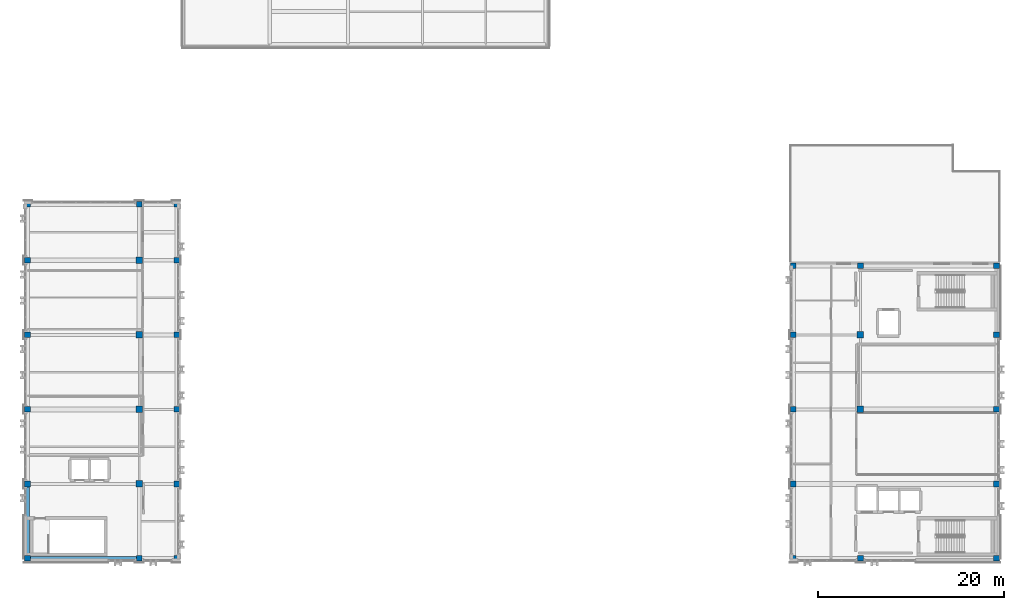
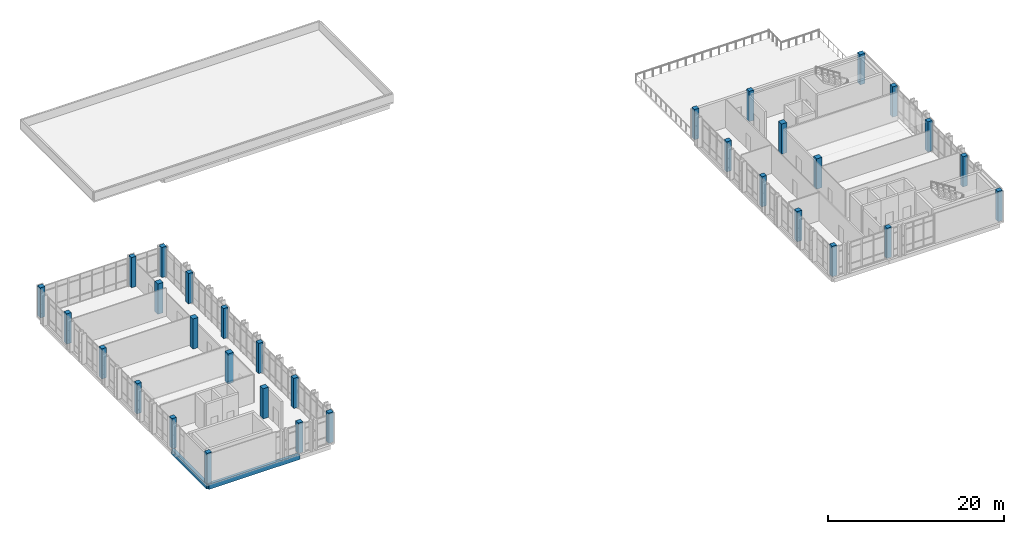
# One storey, part 1 of 48: 32 columns, 2 beams.
"""IFC4 building model written with IfcOpenShell, lengths in metres."""

from ifc_helpers import new_model, si_unit, direction, frame, origin, origin_2d, place, context, subcontext, project, spatial, rectangle, extrude, material, material_profile, profile_set, type_object, element, save


model = new_model("IFC4")

# Units and contexts
model_context = context("Model", 3, precision=1e-05, world=origin(), true_north=direction((0.0, 1.0)))
body_context = subcontext(model_context, "Body", "Model", "MODEL_VIEW")
ifc_project = project(units=[si_unit("LENGTHUNIT", "METRE"), si_unit("AREAUNIT", "SQUARE_METRE"), si_unit("VOLUMEUNIT", "CUBIC_METRE"), si_unit("PLANEANGLEUNIT", "RADIAN"), si_unit("MASSUNIT", "GRAM", prefix="KILO")], contexts=[model_context])

# Site, building, storey
site_placement = place(None, origin())
site = spatial("IfcSite", under=ifc_project, at=site_placement, CompositionType="ELEMENT")
building_placement = place(site_placement, origin())
building = spatial("IfcBuilding", under=site, at=building_placement, Name="Qalavern Law Courts", CompositionType="ELEMENT")
storey_placement = place(building_placement, frame((0.0, 0.0, 31.199951171875)))
storey = spatial("IfcBuildingStorey", under=building, at=storey_placement, Name="L07", CompositionType="ELEMENT", Elevation=31.199951171875)

# Columns
ifc_material_1 = material(Name="Concrete C45/55", Category="concrete")
ifc_material_profile_1 = material_profile(ifc_material_1, rectangle(XDim=0.60009765625, YDim=0.60009765625, at=origin_2d()), Name="RC 600x600")
ifc_profile_set_1 = profile_set([ifc_material_profile_1], Name="Concrete C45/55")
column_type_1 = type_object("IfcColumnType", Name="STR-COL-RC600E", PredefinedType="COLUMN", material=ifc_profile_set_1)
for number, where, z_axis, x_axis, name in (
    (1, (2.39990234375, 41.419921875, 0.0), (0.0, 0.0, 1.0), (1.0, 0.0, 0.0), "V3 column 1-1 L07"),
    (2, (2.39990234375, 49.39990234375, 0.0), (0.0, 0.0, 1.0), (1.0, 0.0, 0.0), "V3 column 1-2 L07"),
    (3, (2.39990234375, 57.39990234375, 0.0), (0.0, 0.0, 1.0), (1.0, 0.0, 0.0), "V3 column 1-3 L07"),
    (4, (2.39990234375, 65.39990234375, 0.0), (0.0, 0.0, 1.0), (1.0, 0.0, 0.0), "V3 column 1-4 L07"),
    (5, (2.39990234375, 73.39990234375, 0.0), (0.0, 0.0, 1.0), (1.0, 0.0, 0.0), "V3 column 1-5 L07"),
    (6, (2.39990234375, 79.39990234375, 0.0), (0.0, 0.0, 1.0), (1.0, 0.0, 0.0), "V3 column 1-6 L07"),
    (7, (14.39990234375, 41.419921875, 0.0), (0.0, 0.0, 1.0), (1.0, 0.0, 0.0), "V3 column 2-1 L07"),
    (8, (14.39990234375, 79.39990234375, 0.0), (0.0, 0.0, 1.0), (1.0, 0.0, 0.0), "V3 column 2-6 L07"),
    (9, (18.39990234375, 41.419921875, 0.0), (0.0, 0.0, 1.0), (1.0, 0.0, 0.0), "V3 column 3-1 L07"),
    (10, (18.39990234375, 49.39990234375, 0.0), (0.0, 0.0, 1.0), (1.0, 0.0, 0.0), "V3 column 3-2 L07"),
    (11, (18.39990234375, 57.39990234375, 0.0), (0.0, 0.0, 1.0), (1.0, 0.0, 0.0), "V3 column 3-3 L07"),
    (12, (18.39990234375, 65.39990234375, 0.0), (0.0, 0.0, 1.0), (1.0, 0.0, 0.0), "V3 column 3-4 L07"),
    (13, (18.39990234375, 73.39990234375, 0.0), (0.0, 0.0, 1.0), (1.0, 0.0, 0.0), "V3 column 3-5 L07"),
    (14, (18.39990234375, 79.39990234375, 0.0), (0.0, 0.0, 1.0), (1.0, 0.0, 0.0), "V3 column 3-6 L07"),
    (15, (84.60009765625, 41.419921875, 0.0), (0.0, 0.0, 1.0), (1.0, 0.0, 0.0), "V4 column 1-1 L07"),
    (16, (84.60009765625, 49.39990234375, 0.0), (0.0, 0.0, 1.0), (1.0, 0.0, 0.0), "V4 column 1-2 L07"),
    (17, (84.60009765625, 57.39990234375, 0.0), (0.0, 0.0, 1.0), (1.0, 0.0, 0.0), "V4 column 1-3 L07"),
    (18, (84.60009765625, 65.39990234375, 0.0), (0.0, 0.0, 1.0), (1.0, 0.0, 0.0), "V4 column 1-4 L07"),
    (19, (84.60009765625, 72.800048828125, 0.0), (0.0, 0.0, 1.0), (1.0, 0.0, 0.0), "V4 column 1-5 L07"),
    (20, (91.800048828125, 41.419921875, 0.0), (0.0, 0.0, 1.0), (1.0, 0.0, 0.0), "V4 column 2-1 L07"),
    (21, (91.800048828125, 72.800048828125, 0.0), (0.0, 0.0, 1.0), (1.0, 0.0, 0.0), "V4 column 2-5 L07"),
    (22, (106.39990234375, 41.419921875, 0.0), (0.0, 0.0, 1.0), (1.0, 0.0, 0.0), "V4 column 3-1 L07"),
    (23, (106.39990234375, 49.39990234375, 0.0), (0.0, 0.0, 1.0), (1.0, 0.0, 0.0), "V4 column 3-2 L07"),
    (24, (106.39990234375, 57.39990234375, 0.0), (0.0, 0.0, 1.0), (1.0, 0.0, 0.0), "V4 column 3-3 L07"),
    (25, (106.39990234375, 65.39990234375, 0.0), (0.0, 0.0, 1.0), (1.0, 0.0, 0.0), "V4 column 3-4 L07"),
    (26, (106.39990234375, 72.800048828125, 0.0), (0.0, 0.0, 1.0), (1.0, 0.0, 0.0), "V4 column 3-5 L07"),
):
    element("IfcColumn", number, at=place(storey_placement, frame(where, z_axis=z_axis, x_axis=x_axis)), inside=storey, type_object=column_type_1, Name=name, PredefinedType="COLUMN", context=body_context, shape_type="SweptSolid", body=[
        extrude(rectangle(XDim=0.60009765625, YDim=0.60009765625, at=origin_2d()), origin(), (0.0, 0.0, 1.0), 4.199951171875),
    ])
ifc_material_profile_2 = material_profile(ifc_material_1, rectangle(XDim=0.699951171875, YDim=0.699951171875, at=origin_2d()), Name="RC 700x700")
ifc_profile_set_2 = profile_set([ifc_material_profile_2], Name="Concrete C45/55")
column_type_2 = type_object("IfcColumnType", Name="STR-COL-RC700", PredefinedType="COLUMN", material=ifc_profile_set_2)
for number, where, z_axis, x_axis, name in (
    (27, (14.39990234375, 49.39990234375, 0.0), (0.0, 0.0, 1.0), (1.0, 0.0, 0.0), "V3 column 2-2 L07"),
    (28, (14.39990234375, 57.39990234375, 0.0), (0.0, 0.0, 1.0), (1.0, 0.0, 0.0), "V3 column 2-3 L07"),
    (29, (14.39990234375, 65.39990234375, 0.0), (0.0, 0.0, 1.0), (1.0, 0.0, 0.0), "V3 column 2-4 L07"),
    (30, (14.39990234375, 73.39990234375, 0.0), (0.0, 0.0, 1.0), (1.0, 0.0, 0.0), "V3 column 2-5 L07"),
    (31, (91.800048828125, 57.39990234375, 0.0), (0.0, 0.0, 1.0), (1.0, 0.0, 0.0), "V4 column 2-3 L07"),
    (32, (91.800048828125, 65.39990234375, 0.0), (0.0, 0.0, 1.0), (1.0, 0.0, 0.0), "V4 column 2-4 L07"),
):
    element("IfcColumn", number, at=place(storey_placement, frame(where, z_axis=z_axis, x_axis=x_axis)), inside=storey, type_object=column_type_2, Name=name, PredefinedType="COLUMN", context=body_context, shape_type="SweptSolid", body=[
        extrude(rectangle(XDim=0.699951171875, YDim=0.699951171875, at=origin_2d()), origin(), (0.0, 0.0, 1.0), 4.199951171875),
    ])

# Beams
ifc_material_2 = material(Name="Concrete C40/50", Category="concrete")
ifc_material_profile_3 = material_profile(ifc_material_2, rectangle(XDim=0.39990234375, YDim=0.699951171875, at=origin_2d()), Name="RC 400x700")
ifc_profile_set_3 = profile_set([ifc_material_profile_3], Name="Concrete C40/50")
beam_type = type_object("IfcBeamType", Name="STR-SP-RC400x700", PredefinedType="SPANDREL", material=ifc_profile_set_3)
beam_1_placement = place(storey_placement, frame((2.39990234375, 41.419921875, -0.614990234375), z_axis=(1.0, 0.0, 0.0), x_axis=(0.0, 1.0, 0.0)))
element("IfcBeam", 33, at=beam_1_placement, inside=storey, type_object=beam_type, Name="V3 X-beam 1-1 L07", PredefinedType="SPANDREL", context=body_context, shape_type="SweptSolid", body=[
    extrude(rectangle(XDim=0.39990234375, YDim=0.699951171875, at=origin_2d()), origin(), (0.0, 0.0, 1.0), 12.0),
])
beam_2_placement = place(storey_placement, frame((2.39990234375, 41.419921875, -0.614990234375), z_axis=(0.0, 1.0, 0.0), x_axis=(-1.0, 0.0, 0.0)))
element("IfcBeam", 34, at=beam_2_placement, inside=storey, type_object=beam_type, Name="V3 Y-beam 1-1 L07", PredefinedType="SPANDREL", context=body_context, shape_type="SweptSolid", body=[
    extrude(rectangle(XDim=0.39990234375, YDim=0.699951171875, at=origin_2d()), origin(), (0.0, 0.0, 1.0), 7.97998046875),
])

save(model, "model.ifc")
